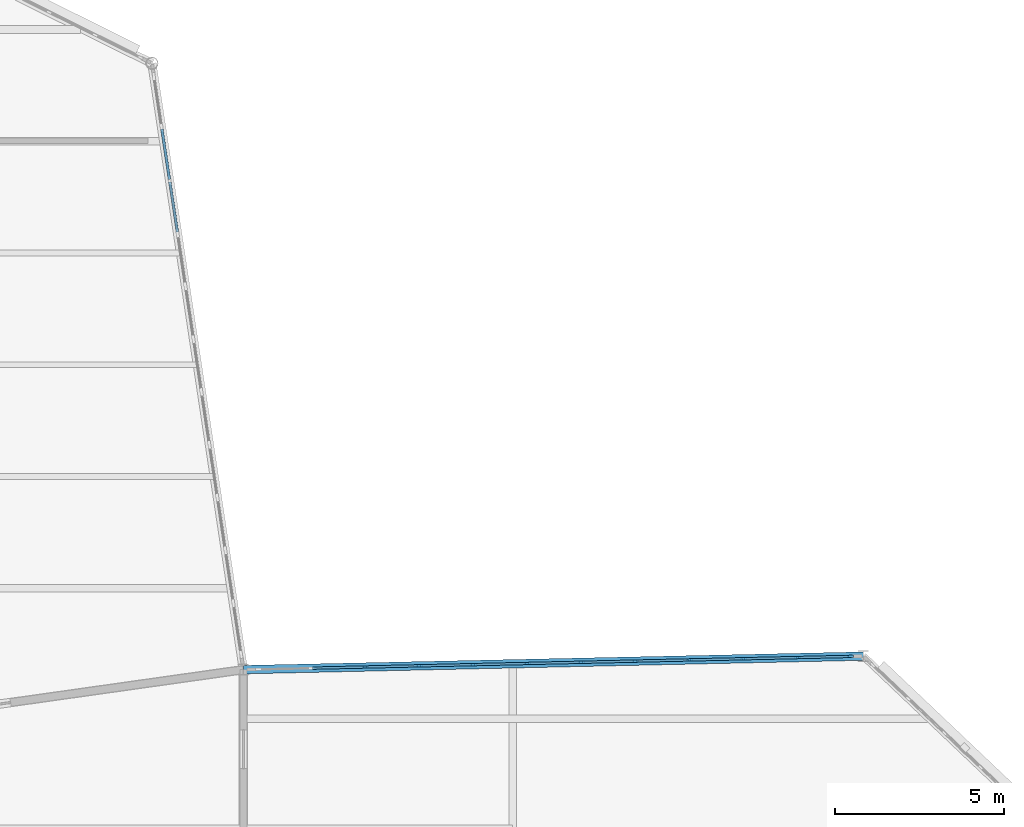
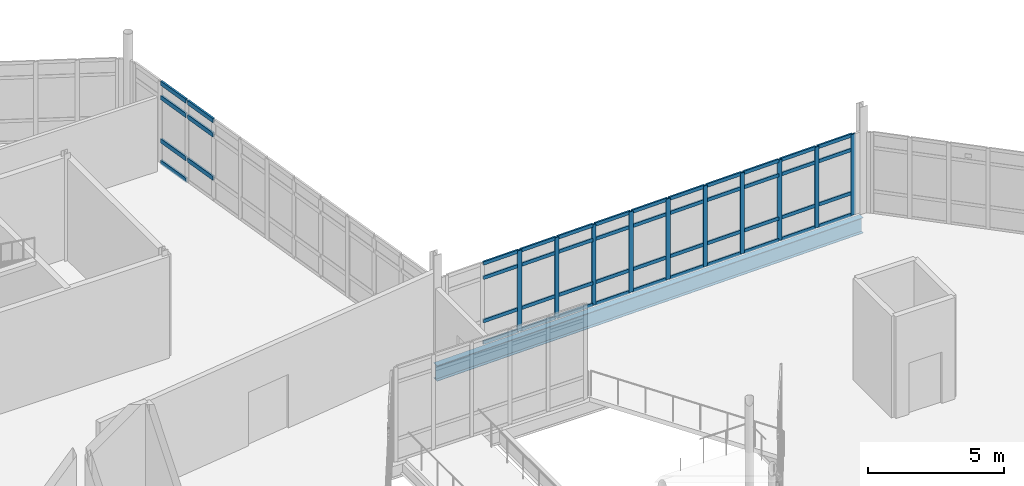
# One storey, part 38 of 114: 57 members, 1 beam, 2 elements without a shape of their own.
"""IFC4 building model written with IfcOpenShell, lengths in metres."""

from ifc_helpers import new_model, si_unit, direction, frame, origin, origin_2d, place, context, subcontext, project, spatial, rectangle, i_section, extrude, material, material_profile, profile_set, type_object, element, aggregate, save


model = new_model("IFC4")

# Units and contexts
model_context = context("Model", 3, precision=1e-05, world=origin(), true_north=direction((0.0, 1.0)))
body_context = subcontext(model_context, "Body", "Model", "MODEL_VIEW")
ifc_project = project(units=[si_unit("LENGTHUNIT", "METRE"), si_unit("AREAUNIT", "SQUARE_METRE"), si_unit("VOLUMEUNIT", "CUBIC_METRE"), si_unit("PLANEANGLEUNIT", "RADIAN"), si_unit("MASSUNIT", "GRAM", prefix="KILO")], contexts=[model_context])

# Site, building, storey
site_placement = place(None, origin())
site = spatial("IfcSite", under=ifc_project, at=site_placement, CompositionType="ELEMENT")
building_placement = place(site_placement, origin())
building = spatial("IfcBuilding", under=site, at=building_placement, Name="Tameran Prism Museum", CompositionType="ELEMENT")
storey_placement = place(building_placement, frame((0.0, 0.0, 10.199951171875)))
storey = spatial("IfcBuildingStorey", under=building, at=storey_placement, Name="L02", CompositionType="ELEMENT", Elevation=10.199951171875)

# Beam
ifc_material_1 = material(Name="Steel Grade 350 (350 MPa)", Category="steel")
ifc_material_profile_1 = material_profile(ifc_material_1, i_section(OverallWidth=0.25, OverallDepth=0.699951171875, WebThickness=0.010009765625, FlangeThickness=0.02001953125, at=origin_2d()))
ifc_profile_set_1 = profile_set([ifc_material_profile_1])
beam_type = type_object("IfcBeamType", Name="BM-SP700", PredefinedType="SPANDREL", material=ifc_profile_set_1)
beam_placement = place(storey_placement, frame((95.800048828125, 48.60009765625, -0.550048828125), z_axis=(-0.999761027559, -0.021860644425, 0.0), x_axis=(0.021860644425, -0.999761027559, 0.0)))
element("IfcBeam", 1, at=beam_placement, inside=storey, type_object=beam_type, Name="Perimeter Spandrel SP-0689", PredefinedType="SPANDREL", context=body_context, shape_type="SweptSolid", body=[
    extrude(i_section(OverallWidth=0.25, OverallDepth=0.699951171875, WebThickness=0.010009765625, FlangeThickness=0.02001953125, at=origin_2d()), origin(), (0.0, 0.0, 1.0), 18.304443359375),
])

# Curtain wall, members
ifc_material_2 = material(Name="Anodised Aluminium 6063-T6 and Cyclone Solar Glass", Category="aluminium")
curtain_wall_type_1 = type_object("IfcCurtainWallType", Name="CW-FAC-1754x362", PredefinedType="USERDEFINED", material=ifc_material_2)
curtain_wall_1_placement = place(storey_placement, origin())
curtain_wall_1 = element("IfcCurtainWall", 2, at=curtain_wall_1_placement, inside=storey, type_object=curtain_wall_type_1, Name="Unitised Curtain Wall CW-112", ObjectType="UNITISED CURTAIN WALL", PredefinedType="USERDEFINED")
ifc_material_3 = material(Name="Anodised Aluminium Alloy 6063-T6", Category="aluminium")
ifc_material_profile_2 = material_profile(ifc_material_3, rectangle(XDim=0.070068359375, YDim=0.179931640625, at=origin_2d()))
ifc_profile_set_2 = profile_set([ifc_material_profile_2])
member_type_1 = type_object("IfcMemberType", Name="CW-MUL-B", PredefinedType="MULLION", material=ifc_profile_set_2)
member_1_placement = place(storey_placement, frame((81.09912109375, 48.278564453125, 0.0), z_axis=(0.0, 0.0, 1.0), x_axis=(-0.021830600058, 0.999761684053, 0.0)))
member_1 = element("IfcMember", 3, at=member_1_placement, type_object=member_type_1, Name="CW-112 mullion 3", PredefinedType="MULLION", context=body_context, shape_type="SweptSolid", body=[
    extrude(rectangle(XDim=0.070068359375, YDim=0.179931640625, at=origin_2d()), origin(), (0.0, 0.0, 1.0), 3.6201171875),
])
member_2_placement = place(storey_placement, frame((82.693603515625, 48.3134765625, 0.0), z_axis=(0.0, 0.0, 1.0), x_axis=(-0.021830600058, 0.999761684053, 0.0)))
member_2 = element("IfcMember", 4, at=member_2_placement, type_object=member_type_1, Name="CW-112 mullion 4", PredefinedType="MULLION", context=body_context, shape_type="SweptSolid", body=[
    extrude(rectangle(XDim=0.070068359375, YDim=0.179931640625, at=origin_2d()), origin(), (0.0, 0.0, 1.0), 3.6201171875),
])
member_3_placement = place(storey_placement, frame((84.2880859375, 48.348388671875, 0.0), z_axis=(0.0, 0.0, 1.0), x_axis=(-0.021830600058, 0.999761684053, 0.0)))
member_3 = element("IfcMember", 5, at=member_3_placement, type_object=member_type_1, Name="CW-112 mullion 5", PredefinedType="MULLION", context=body_context, shape_type="SweptSolid", body=[
    extrude(rectangle(XDim=0.070068359375, YDim=0.179931640625, at=origin_2d()), origin(), (0.0, 0.0, 1.0), 3.6201171875),
])
member_4_placement = place(storey_placement, frame((85.8828125, 48.383056640625, 0.0), z_axis=(0.0, 0.0, 1.0), x_axis=(-0.021830600058, 0.999761684053, 0.0)))
member_4 = element("IfcMember", 6, at=member_4_placement, type_object=member_type_1, Name="CW-112 mullion 6", PredefinedType="MULLION", context=body_context, shape_type="SweptSolid", body=[
    extrude(rectangle(XDim=0.070068359375, YDim=0.179931640625, at=origin_2d()), origin(), (0.0, 0.0, 1.0), 3.6201171875),
])
member_5_placement = place(storey_placement, frame((87.477294921875, 48.41796875, 0.0), z_axis=(0.0, 0.0, 1.0), x_axis=(-0.021830600058, 0.999761684053, 0.0)))
member_5 = element("IfcMember", 7, at=member_5_placement, type_object=member_type_1, Name="CW-112 mullion 7", PredefinedType="MULLION", context=body_context, shape_type="SweptSolid", body=[
    extrude(rectangle(XDim=0.070068359375, YDim=0.179931640625, at=origin_2d()), origin(), (0.0, 0.0, 1.0), 3.6201171875),
])
member_6_placement = place(storey_placement, frame((89.07177734375, 48.45263671875, 0.0), z_axis=(0.0, 0.0, 1.0), x_axis=(-0.021830600058, 0.999761684053, 0.0)))
member_6 = element("IfcMember", 8, at=member_6_placement, type_object=member_type_1, Name="CW-112 mullion 8", PredefinedType="MULLION", context=body_context, shape_type="SweptSolid", body=[
    extrude(rectangle(XDim=0.070068359375, YDim=0.179931640625, at=origin_2d()), origin(), (0.0, 0.0, 1.0), 3.6201171875),
])
member_7_placement = place(storey_placement, frame((90.666259765625, 48.487548828125, 0.0), z_axis=(0.0, 0.0, 1.0), x_axis=(-0.021830600058, 0.999761684053, 0.0)))
member_7 = element("IfcMember", 9, at=member_7_placement, type_object=member_type_1, Name="CW-112 mullion 9", PredefinedType="MULLION", context=body_context, shape_type="SweptSolid", body=[
    extrude(rectangle(XDim=0.070068359375, YDim=0.179931640625, at=origin_2d()), origin(), (0.0, 0.0, 1.0), 3.6201171875),
])
member_8_placement = place(storey_placement, frame((92.260986328125, 48.5224609375, 0.0), z_axis=(0.0, 0.0, 1.0), x_axis=(-0.021830600058, 0.999761684053, 0.0)))
member_8 = element("IfcMember", 10, at=member_8_placement, type_object=member_type_1, Name="CW-112 mullion 10", PredefinedType="MULLION", context=body_context, shape_type="SweptSolid", body=[
    extrude(rectangle(XDim=0.070068359375, YDim=0.179931640625, at=origin_2d()), origin(), (0.0, 0.0, 1.0), 3.6201171875),
])
member_9_placement = place(storey_placement, frame((93.85546875, 48.55712890625, 0.0), z_axis=(0.0, 0.0, 1.0), x_axis=(-0.021830600058, 0.999761684053, 0.0)))
member_9 = element("IfcMember", 11, at=member_9_placement, type_object=member_type_1, Name="CW-112 mullion 11", PredefinedType="MULLION", context=body_context, shape_type="SweptSolid", body=[
    extrude(rectangle(XDim=0.070068359375, YDim=0.179931640625, at=origin_2d()), origin(), (0.0, 0.0, 1.0), 3.6201171875),
])
member_10_placement = place(storey_placement, frame((95.4150390625, 48.59130859375, 0.0), z_axis=(0.0, 0.0, 1.0), x_axis=(-0.021830600058, 0.999761684053, 0.0)))
member_10 = element("IfcMember", 12, at=member_10_placement, type_object=member_type_1, Name="CW-112 mullion 12", PredefinedType="MULLION", context=body_context, shape_type="SweptSolid", body=[
    extrude(rectangle(XDim=0.070068359375, YDim=0.179931640625, at=origin_2d()), origin(), (0.0, 0.0, 1.0), 3.6201171875),
])
ifc_material_4 = material(Name="Anodised Aluminium Alloy 6063-T6", Category="aluminium")
ifc_material_profile_3 = material_profile(ifc_material_4, rectangle(XDim=0.070068359375, YDim=0.155029296875, at=origin_2d()))
ifc_profile_set_3 = profile_set([ifc_material_profile_3])
member_type_2 = type_object("IfcMemberType", Name="CW-TRN-B", PredefinedType="USERDEFINED", material=ifc_profile_set_3)
member_11_placement = place(storey_placement, frame((79.53955078125, 48.24462890625, 0.03515625), z_axis=(0.999762956258, 0.021772259736, 0.0), x_axis=(-0.021772259736, 0.999762956258, 0.0)))
member_11 = element("IfcMember", 13, at=member_11_placement, type_object=member_type_2, Name="CW-112 transom 2.1", ObjectType="TRANSOM", PredefinedType="USERDEFINED", context=body_context, shape_type="SweptSolid", body=[
    extrude(rectangle(XDim=0.070068359375, YDim=0.155029296875, at=origin_2d()), origin(), (0.0, 0.0, 1.0), 1.52490234375),
])
member_12_placement = place(storey_placement, frame((79.53955078125, 48.24462890625, 1.0), z_axis=(0.999762956258, 0.021772259736, 0.0), x_axis=(-0.021772259736, 0.999762956258, 0.0)))
member_12 = element("IfcMember", 14, at=member_12_placement, type_object=member_type_2, Name="CW-112 transom 2.2", ObjectType="TRANSOM", PredefinedType="USERDEFINED", context=body_context, shape_type="SweptSolid", body=[
    extrude(rectangle(XDim=0.070068359375, YDim=0.155029296875, at=origin_2d()), origin(), (0.0, 0.0, 1.0), 1.52490234375),
])
member_13_placement = place(storey_placement, frame((79.53955078125, 48.24462890625, 2.93994140625), z_axis=(0.999762956258, 0.021772259736, 0.0), x_axis=(-0.021772259736, 0.999762956258, 0.0)))
member_13 = element("IfcMember", 15, at=member_13_placement, type_object=member_type_2, Name="CW-112 transom 2.3", ObjectType="TRANSOM", PredefinedType="USERDEFINED", context=body_context, shape_type="SweptSolid", body=[
    extrude(rectangle(XDim=0.070068359375, YDim=0.155029296875, at=origin_2d()), origin(), (0.0, 0.0, 1.0), 1.52490234375),
])
member_14_placement = place(storey_placement, frame((79.53955078125, 48.24462890625, 3.5849609375), z_axis=(0.999762956258, 0.021772259736, 0.0), x_axis=(-0.021772259736, 0.999762956258, 0.0)))
member_14 = element("IfcMember", 16, at=member_14_placement, type_object=member_type_2, Name="CW-112 transom 2.4", ObjectType="TRANSOM", PredefinedType="USERDEFINED", context=body_context, shape_type="SweptSolid", body=[
    extrude(rectangle(XDim=0.070068359375, YDim=0.155029296875, at=origin_2d()), origin(), (0.0, 0.0, 1.0), 1.52490234375),
])
member_15_placement = place(storey_placement, frame((81.134033203125, 48.279296875, 0.03515625), z_axis=(0.999759458767, 0.021932273155, 0.0), x_axis=(-0.021932273155, 0.999759458767, 0.0)))
member_15 = element("IfcMember", 17, at=member_15_placement, type_object=member_type_2, Name="CW-112 transom 3.1", ObjectType="TRANSOM", PredefinedType="USERDEFINED", context=body_context, shape_type="SweptSolid", body=[
    extrude(rectangle(XDim=0.070068359375, YDim=0.155029296875, at=origin_2d()), origin(), (0.0, 0.0, 1.0), 1.525146484375),
])
member_16_placement = place(storey_placement, frame((81.134033203125, 48.279296875, 1.0), z_axis=(0.999759458767, 0.021932273155, 0.0), x_axis=(-0.021932273155, 0.999759458767, 0.0)))
member_16 = element("IfcMember", 18, at=member_16_placement, type_object=member_type_2, Name="CW-112 transom 3.2", ObjectType="TRANSOM", PredefinedType="USERDEFINED", context=body_context, shape_type="SweptSolid", body=[
    extrude(rectangle(XDim=0.070068359375, YDim=0.155029296875, at=origin_2d()), origin(), (0.0, 0.0, 1.0), 1.525146484375),
])
member_17_placement = place(storey_placement, frame((81.134033203125, 48.279296875, 2.93994140625), z_axis=(0.999759458767, 0.021932273155, 0.0), x_axis=(-0.021932273155, 0.999759458767, 0.0)))
member_17 = element("IfcMember", 19, at=member_17_placement, type_object=member_type_2, Name="CW-112 transom 3.3", ObjectType="TRANSOM", PredefinedType="USERDEFINED", context=body_context, shape_type="SweptSolid", body=[
    extrude(rectangle(XDim=0.070068359375, YDim=0.155029296875, at=origin_2d()), origin(), (0.0, 0.0, 1.0), 1.525146484375),
])
member_18_placement = place(storey_placement, frame((81.134033203125, 48.279296875, 3.5849609375), z_axis=(0.999759458767, 0.021932273155, 0.0), x_axis=(-0.021932273155, 0.999759458767, 0.0)))
member_18 = element("IfcMember", 20, at=member_18_placement, type_object=member_type_2, Name="CW-112 transom 3.4", ObjectType="TRANSOM", PredefinedType="USERDEFINED", context=body_context, shape_type="SweptSolid", body=[
    extrude(rectangle(XDim=0.070068359375, YDim=0.155029296875, at=origin_2d()), origin(), (0.0, 0.0, 1.0), 1.525146484375),
])
member_19_placement = place(storey_placement, frame((82.728515625, 48.314208984375, 0.03515625), z_axis=(0.999762956258, 0.021772259736, 0.0), x_axis=(-0.021772259736, 0.999762956258, 0.0)))
member_19 = element("IfcMember", 21, at=member_19_placement, type_object=member_type_2, Name="CW-112 transom 4.1", ObjectType="TRANSOM", PredefinedType="USERDEFINED", context=body_context, shape_type="SweptSolid", body=[
    extrude(rectangle(XDim=0.070068359375, YDim=0.155029296875, at=origin_2d()), origin(), (0.0, 0.0, 1.0), 1.52490234375),
])
member_20_placement = place(storey_placement, frame((82.728515625, 48.314208984375, 1.0), z_axis=(0.999762956258, 0.021772259736, 0.0), x_axis=(-0.021772259736, 0.999762956258, 0.0)))
member_20 = element("IfcMember", 22, at=member_20_placement, type_object=member_type_2, Name="CW-112 transom 4.2", ObjectType="TRANSOM", PredefinedType="USERDEFINED", context=body_context, shape_type="SweptSolid", body=[
    extrude(rectangle(XDim=0.070068359375, YDim=0.155029296875, at=origin_2d()), origin(), (0.0, 0.0, 1.0), 1.52490234375),
])
member_21_placement = place(storey_placement, frame((82.728515625, 48.314208984375, 2.93994140625), z_axis=(0.999762956258, 0.021772259736, 0.0), x_axis=(-0.021772259736, 0.999762956258, 0.0)))
member_21 = element("IfcMember", 23, at=member_21_placement, type_object=member_type_2, Name="CW-112 transom 4.3", ObjectType="TRANSOM", PredefinedType="USERDEFINED", context=body_context, shape_type="SweptSolid", body=[
    extrude(rectangle(XDim=0.070068359375, YDim=0.155029296875, at=origin_2d()), origin(), (0.0, 0.0, 1.0), 1.52490234375),
])
member_22_placement = place(storey_placement, frame((82.728515625, 48.314208984375, 3.5849609375), z_axis=(0.999762956258, 0.021772259736, 0.0), x_axis=(-0.021772259736, 0.999762956258, 0.0)))
member_22 = element("IfcMember", 24, at=member_22_placement, type_object=member_type_2, Name="CW-112 transom 4.4", ObjectType="TRANSOM", PredefinedType="USERDEFINED", context=body_context, shape_type="SweptSolid", body=[
    extrude(rectangle(XDim=0.070068359375, YDim=0.155029296875, at=origin_2d()), origin(), (0.0, 0.0, 1.0), 1.52490234375),
])
member_23_placement = place(storey_placement, frame((84.3232421875, 48.34912109375, 0.03515625), z_axis=(0.999762880352, 0.021775744992, 0.0), x_axis=(-0.021775744992, 0.999762880352, 0.0)))
member_23 = element("IfcMember", 25, at=member_23_placement, type_object=member_type_2, Name="CW-112 transom 5.1", ObjectType="TRANSOM", PredefinedType="USERDEFINED", context=body_context, shape_type="SweptSolid", body=[
    extrude(rectangle(XDim=0.070068359375, YDim=0.155029296875, at=origin_2d()), origin(), (0.0, 0.0, 1.0), 1.524658203125),
])
member_24_placement = place(storey_placement, frame((84.3232421875, 48.34912109375, 1.0), z_axis=(0.999762880352, 0.021775744992, 0.0), x_axis=(-0.021775744992, 0.999762880352, 0.0)))
member_24 = element("IfcMember", 26, at=member_24_placement, type_object=member_type_2, Name="CW-112 transom 5.2", ObjectType="TRANSOM", PredefinedType="USERDEFINED", context=body_context, shape_type="SweptSolid", body=[
    extrude(rectangle(XDim=0.070068359375, YDim=0.155029296875, at=origin_2d()), origin(), (0.0, 0.0, 1.0), 1.524658203125),
])
member_25_placement = place(storey_placement, frame((84.3232421875, 48.34912109375, 2.93994140625), z_axis=(0.999762880352, 0.021775744992, 0.0), x_axis=(-0.021775744992, 0.999762880352, 0.0)))
member_25 = element("IfcMember", 27, at=member_25_placement, type_object=member_type_2, Name="CW-112 transom 5.3", ObjectType="TRANSOM", PredefinedType="USERDEFINED", context=body_context, shape_type="SweptSolid", body=[
    extrude(rectangle(XDim=0.070068359375, YDim=0.155029296875, at=origin_2d()), origin(), (0.0, 0.0, 1.0), 1.524658203125),
])
member_26_placement = place(storey_placement, frame((84.3232421875, 48.34912109375, 3.5849609375), z_axis=(0.999762880352, 0.021775744992, 0.0), x_axis=(-0.021775744992, 0.999762880352, 0.0)))
member_26 = element("IfcMember", 28, at=member_26_placement, type_object=member_type_2, Name="CW-112 transom 5.4", ObjectType="TRANSOM", PredefinedType="USERDEFINED", context=body_context, shape_type="SweptSolid", body=[
    extrude(rectangle(XDim=0.070068359375, YDim=0.155029296875, at=origin_2d()), origin(), (0.0, 0.0, 1.0), 1.524658203125),
])
member_27_placement = place(storey_placement, frame((85.917724609375, 48.3837890625, 0.03515625), z_axis=(0.999759458767, 0.021932273155, 0.0), x_axis=(-0.021932273155, 0.999759458767, 0.0)))
member_27 = element("IfcMember", 29, at=member_27_placement, type_object=member_type_2, Name="CW-112 transom 6.1", ObjectType="TRANSOM", PredefinedType="USERDEFINED", context=body_context, shape_type="SweptSolid", body=[
    extrude(rectangle(XDim=0.070068359375, YDim=0.155029296875, at=origin_2d()), origin(), (0.0, 0.0, 1.0), 1.525146484375),
])
member_28_placement = place(storey_placement, frame((85.917724609375, 48.3837890625, 1.0), z_axis=(0.999759458767, 0.021932273155, 0.0), x_axis=(-0.021932273155, 0.999759458767, 0.0)))
member_28 = element("IfcMember", 30, at=member_28_placement, type_object=member_type_2, Name="CW-112 transom 6.2", ObjectType="TRANSOM", PredefinedType="USERDEFINED", context=body_context, shape_type="SweptSolid", body=[
    extrude(rectangle(XDim=0.070068359375, YDim=0.155029296875, at=origin_2d()), origin(), (0.0, 0.0, 1.0), 1.525146484375),
])
member_29_placement = place(storey_placement, frame((85.917724609375, 48.3837890625, 2.93994140625), z_axis=(0.999759458767, 0.021932273155, 0.0), x_axis=(-0.021932273155, 0.999759458767, 0.0)))
member_29 = element("IfcMember", 31, at=member_29_placement, type_object=member_type_2, Name="CW-112 transom 6.3", ObjectType="TRANSOM", PredefinedType="USERDEFINED", context=body_context, shape_type="SweptSolid", body=[
    extrude(rectangle(XDim=0.070068359375, YDim=0.155029296875, at=origin_2d()), origin(), (0.0, 0.0, 1.0), 1.525146484375),
])
member_30_placement = place(storey_placement, frame((85.917724609375, 48.3837890625, 3.5849609375), z_axis=(0.999759458767, 0.021932273155, 0.0), x_axis=(-0.021932273155, 0.999759458767, 0.0)))
member_30 = element("IfcMember", 32, at=member_30_placement, type_object=member_type_2, Name="CW-112 transom 6.4", ObjectType="TRANSOM", PredefinedType="USERDEFINED", context=body_context, shape_type="SweptSolid", body=[
    extrude(rectangle(XDim=0.070068359375, YDim=0.155029296875, at=origin_2d()), origin(), (0.0, 0.0, 1.0), 1.525146484375),
])
member_31_placement = place(storey_placement, frame((87.51220703125, 48.418701171875, 0.03515625), z_axis=(0.999762956258, 0.021772259736, 0.0), x_axis=(-0.021772259736, 0.999762956258, 0.0)))
member_31 = element("IfcMember", 33, at=member_31_placement, type_object=member_type_2, Name="CW-112 transom 7.1", ObjectType="TRANSOM", PredefinedType="USERDEFINED", context=body_context, shape_type="SweptSolid", body=[
    extrude(rectangle(XDim=0.070068359375, YDim=0.155029296875, at=origin_2d()), origin(), (0.0, 0.0, 1.0), 1.52490234375),
])
member_32_placement = place(storey_placement, frame((87.51220703125, 48.418701171875, 1.0), z_axis=(0.999762956258, 0.021772259736, 0.0), x_axis=(-0.021772259736, 0.999762956258, 0.0)))
member_32 = element("IfcMember", 34, at=member_32_placement, type_object=member_type_2, Name="CW-112 transom 7.2", ObjectType="TRANSOM", PredefinedType="USERDEFINED", context=body_context, shape_type="SweptSolid", body=[
    extrude(rectangle(XDim=0.070068359375, YDim=0.155029296875, at=origin_2d()), origin(), (0.0, 0.0, 1.0), 1.52490234375),
])
member_33_placement = place(storey_placement, frame((87.51220703125, 48.418701171875, 2.93994140625), z_axis=(0.999762956258, 0.021772259736, 0.0), x_axis=(-0.021772259736, 0.999762956258, 0.0)))
member_33 = element("IfcMember", 35, at=member_33_placement, type_object=member_type_2, Name="CW-112 transom 7.3", ObjectType="TRANSOM", PredefinedType="USERDEFINED", context=body_context, shape_type="SweptSolid", body=[
    extrude(rectangle(XDim=0.070068359375, YDim=0.155029296875, at=origin_2d()), origin(), (0.0, 0.0, 1.0), 1.52490234375),
])
member_34_placement = place(storey_placement, frame((87.51220703125, 48.418701171875, 3.5849609375), z_axis=(0.999762956258, 0.021772259736, 0.0), x_axis=(-0.021772259736, 0.999762956258, 0.0)))
member_34 = element("IfcMember", 36, at=member_34_placement, type_object=member_type_2, Name="CW-112 transom 7.4", ObjectType="TRANSOM", PredefinedType="USERDEFINED", context=body_context, shape_type="SweptSolid", body=[
    extrude(rectangle(XDim=0.070068359375, YDim=0.155029296875, at=origin_2d()), origin(), (0.0, 0.0, 1.0), 1.52490234375),
])
member_35_placement = place(storey_placement, frame((89.106689453125, 48.45361328125, 0.03515625), z_axis=(0.999762956258, 0.021772259736, 0.0), x_axis=(-0.021772259736, 0.999762956258, 0.0)))
member_35 = element("IfcMember", 37, at=member_35_placement, type_object=member_type_2, Name="CW-112 transom 8.1", ObjectType="TRANSOM", PredefinedType="USERDEFINED", context=body_context, shape_type="SweptSolid", body=[
    extrude(rectangle(XDim=0.070068359375, YDim=0.155029296875, at=origin_2d()), origin(), (0.0, 0.0, 1.0), 1.52490234375),
])
member_36_placement = place(storey_placement, frame((89.106689453125, 48.45361328125, 1.0), z_axis=(0.999762956258, 0.021772259736, 0.0), x_axis=(-0.021772259736, 0.999762956258, 0.0)))
member_36 = element("IfcMember", 38, at=member_36_placement, type_object=member_type_2, Name="CW-112 transom 8.2", ObjectType="TRANSOM", PredefinedType="USERDEFINED", context=body_context, shape_type="SweptSolid", body=[
    extrude(rectangle(XDim=0.070068359375, YDim=0.155029296875, at=origin_2d()), origin(), (0.0, 0.0, 1.0), 1.52490234375),
])
member_37_placement = place(storey_placement, frame((89.106689453125, 48.45361328125, 2.93994140625), z_axis=(0.999762956258, 0.021772259736, 0.0), x_axis=(-0.021772259736, 0.999762956258, 0.0)))
member_37 = element("IfcMember", 39, at=member_37_placement, type_object=member_type_2, Name="CW-112 transom 8.3", ObjectType="TRANSOM", PredefinedType="USERDEFINED", context=body_context, shape_type="SweptSolid", body=[
    extrude(rectangle(XDim=0.070068359375, YDim=0.155029296875, at=origin_2d()), origin(), (0.0, 0.0, 1.0), 1.52490234375),
])
member_38_placement = place(storey_placement, frame((89.106689453125, 48.45361328125, 3.5849609375), z_axis=(0.999762956258, 0.021772259736, 0.0), x_axis=(-0.021772259736, 0.999762956258, 0.0)))
member_38 = element("IfcMember", 40, at=member_38_placement, type_object=member_type_2, Name="CW-112 transom 8.4", ObjectType="TRANSOM", PredefinedType="USERDEFINED", context=body_context, shape_type="SweptSolid", body=[
    extrude(rectangle(XDim=0.070068359375, YDim=0.155029296875, at=origin_2d()), origin(), (0.0, 0.0, 1.0), 1.52490234375),
])
member_39_placement = place(storey_placement, frame((90.701416015625, 48.48828125, 0.03515625), z_axis=(0.999762880352, 0.021775744992, 0.0), x_axis=(-0.021775744992, 0.999762880352, 0.0)))
member_39 = element("IfcMember", 41, at=member_39_placement, type_object=member_type_2, Name="CW-112 transom 9.1", ObjectType="TRANSOM", PredefinedType="USERDEFINED", context=body_context, shape_type="SweptSolid", body=[
    extrude(rectangle(XDim=0.070068359375, YDim=0.155029296875, at=origin_2d()), origin(), (0.0, 0.0, 1.0), 1.524658203125),
])
member_40_placement = place(storey_placement, frame((90.701416015625, 48.48828125, 1.0), z_axis=(0.999762880352, 0.021775744992, 0.0), x_axis=(-0.021775744992, 0.999762880352, 0.0)))
member_40 = element("IfcMember", 42, at=member_40_placement, type_object=member_type_2, Name="CW-112 transom 9.2", ObjectType="TRANSOM", PredefinedType="USERDEFINED", context=body_context, shape_type="SweptSolid", body=[
    extrude(rectangle(XDim=0.070068359375, YDim=0.155029296875, at=origin_2d()), origin(), (0.0, 0.0, 1.0), 1.524658203125),
])
member_41_placement = place(storey_placement, frame((90.701416015625, 48.48828125, 2.93994140625), z_axis=(0.999762880352, 0.021775744992, 0.0), x_axis=(-0.021775744992, 0.999762880352, 0.0)))
member_41 = element("IfcMember", 43, at=member_41_placement, type_object=member_type_2, Name="CW-112 transom 9.3", ObjectType="TRANSOM", PredefinedType="USERDEFINED", context=body_context, shape_type="SweptSolid", body=[
    extrude(rectangle(XDim=0.070068359375, YDim=0.155029296875, at=origin_2d()), origin(), (0.0, 0.0, 1.0), 1.524658203125),
])
member_42_placement = place(storey_placement, frame((90.701416015625, 48.48828125, 3.5849609375), z_axis=(0.999762880352, 0.021775744992, 0.0), x_axis=(-0.021775744992, 0.999762880352, 0.0)))
member_42 = element("IfcMember", 44, at=member_42_placement, type_object=member_type_2, Name="CW-112 transom 9.4", ObjectType="TRANSOM", PredefinedType="USERDEFINED", context=body_context, shape_type="SweptSolid", body=[
    extrude(rectangle(XDim=0.070068359375, YDim=0.155029296875, at=origin_2d()), origin(), (0.0, 0.0, 1.0), 1.524658203125),
])
member_43_placement = place(storey_placement, frame((92.2958984375, 48.523193359375, 0.03515625), z_axis=(0.999762956258, 0.021772259736, 0.0), x_axis=(-0.021772259736, 0.999762956258, 0.0)))
member_43 = element("IfcMember", 45, at=member_43_placement, type_object=member_type_2, Name="CW-112 transom 10.1", ObjectType="TRANSOM", PredefinedType="USERDEFINED", context=body_context, shape_type="SweptSolid", body=[
    extrude(rectangle(XDim=0.070068359375, YDim=0.155029296875, at=origin_2d()), origin(), (0.0, 0.0, 1.0), 1.52490234375),
])
member_44_placement = place(storey_placement, frame((92.2958984375, 48.523193359375, 1.0), z_axis=(0.999762956258, 0.021772259736, 0.0), x_axis=(-0.021772259736, 0.999762956258, 0.0)))
member_44 = element("IfcMember", 46, at=member_44_placement, type_object=member_type_2, Name="CW-112 transom 10.2", ObjectType="TRANSOM", PredefinedType="USERDEFINED", context=body_context, shape_type="SweptSolid", body=[
    extrude(rectangle(XDim=0.070068359375, YDim=0.155029296875, at=origin_2d()), origin(), (0.0, 0.0, 1.0), 1.52490234375),
])
member_45_placement = place(storey_placement, frame((92.2958984375, 48.523193359375, 2.93994140625), z_axis=(0.999762956258, 0.021772259736, 0.0), x_axis=(-0.021772259736, 0.999762956258, 0.0)))
member_45 = element("IfcMember", 47, at=member_45_placement, type_object=member_type_2, Name="CW-112 transom 10.3", ObjectType="TRANSOM", PredefinedType="USERDEFINED", context=body_context, shape_type="SweptSolid", body=[
    extrude(rectangle(XDim=0.070068359375, YDim=0.155029296875, at=origin_2d()), origin(), (0.0, 0.0, 1.0), 1.52490234375),
])
member_46_placement = place(storey_placement, frame((92.2958984375, 48.523193359375, 3.5849609375), z_axis=(0.999762956258, 0.021772259736, 0.0), x_axis=(-0.021772259736, 0.999762956258, 0.0)))
member_46 = element("IfcMember", 48, at=member_46_placement, type_object=member_type_2, Name="CW-112 transom 10.4", ObjectType="TRANSOM", PredefinedType="USERDEFINED", context=body_context, shape_type="SweptSolid", body=[
    extrude(rectangle(XDim=0.070068359375, YDim=0.155029296875, at=origin_2d()), origin(), (0.0, 0.0, 1.0), 1.52490234375),
])
member_47_placement = place(storey_placement, frame((93.890380859375, 48.557861328125, 0.03515625), z_axis=(0.999758966086, 0.021954720003, 0.0), x_axis=(-0.021954720003, 0.999758966086, 0.0)))
member_47 = element("IfcMember", 49, at=member_47_placement, type_object=member_type_2, Name="CW-112 transom 11.1", ObjectType="TRANSOM", PredefinedType="USERDEFINED", context=body_context, shape_type="SweptSolid", body=[
    extrude(rectangle(XDim=0.070068359375, YDim=0.155029296875, at=origin_2d()), origin(), (0.0, 0.0, 1.0), 1.489990234375),
])
member_48_placement = place(storey_placement, frame((93.890380859375, 48.557861328125, 1.0), z_axis=(0.999758966086, 0.021954720003, 0.0), x_axis=(-0.021954720003, 0.999758966086, 0.0)))
member_48 = element("IfcMember", 50, at=member_48_placement, type_object=member_type_2, Name="CW-112 transom 11.2", ObjectType="TRANSOM", PredefinedType="USERDEFINED", context=body_context, shape_type="SweptSolid", body=[
    extrude(rectangle(XDim=0.070068359375, YDim=0.155029296875, at=origin_2d()), origin(), (0.0, 0.0, 1.0), 1.489990234375),
])
member_49_placement = place(storey_placement, frame((93.890380859375, 48.557861328125, 2.93994140625), z_axis=(0.999758966086, 0.021954720003, 0.0), x_axis=(-0.021954720003, 0.999758966086, 0.0)))
member_49 = element("IfcMember", 51, at=member_49_placement, type_object=member_type_2, Name="CW-112 transom 11.3", ObjectType="TRANSOM", PredefinedType="USERDEFINED", context=body_context, shape_type="SweptSolid", body=[
    extrude(rectangle(XDim=0.070068359375, YDim=0.155029296875, at=origin_2d()), origin(), (0.0, 0.0, 1.0), 1.489990234375),
])
member_50_placement = place(storey_placement, frame((93.890380859375, 48.557861328125, 3.5849609375), z_axis=(0.999758966086, 0.021954720003, 0.0), x_axis=(-0.021954720003, 0.999758966086, 0.0)))
member_50 = element("IfcMember", 52, at=member_50_placement, type_object=member_type_2, Name="CW-112 transom 11.4", ObjectType="TRANSOM", PredefinedType="USERDEFINED", context=body_context, shape_type="SweptSolid", body=[
    extrude(rectangle(XDim=0.070068359375, YDim=0.155029296875, at=origin_2d()), origin(), (0.0, 0.0, 1.0), 1.489990234375),
])
aggregate(curtain_wall_1, [member_1, member_2, member_3, member_4, member_5, member_6, member_7, member_8, member_9, member_10, member_11, member_12, member_13, member_14, member_15, member_16, member_17, member_18, member_19, member_20, member_21, member_22, member_23, member_24, member_25, member_26, member_27, member_28, member_29, member_30, member_31, member_32, member_33, member_34, member_35, member_36, member_37, member_38, member_39, member_40, member_41, member_42, member_43, member_44, member_45, member_46, member_47, member_48, member_49, member_50])

ifc_material_5 = material(Name="Anodised Aluminium 6063-T6 and Cyclone Solar Glass", Category="aluminium")
curtain_wall_type_2 = type_object("IfcCurtainWallType", Name="CW-FAC-1734x362", PredefinedType="USERDEFINED", material=ifc_material_5)
curtain_wall_2_placement = place(storey_placement, origin())
curtain_wall_2 = element("IfcCurtainWall", 53, at=curtain_wall_2_placement, inside=storey, type_object=curtain_wall_type_2, Name="Unitised Curtain Wall CW-114", ObjectType="UNITISED CURTAIN WALL", PredefinedType="USERDEFINED")
ifc_material_6 = material(Name="Anodised Aluminium Alloy 6063-T6", Category="aluminium")
ifc_material_profile_4 = material_profile(ifc_material_6, rectangle(XDim=0.080078125, YDim=0.195068359375, at=origin_2d()))
ifc_profile_set_4 = profile_set([ifc_material_profile_4])
member_type_3 = type_object("IfcMemberType", Name="CW-TRN-D", PredefinedType="USERDEFINED", material=ifc_profile_set_4)
member_51_placement = place(storey_placement, frame((75.09326171875, 64.155517578125, 0.0400390625), z_axis=(0.149090196477, -0.988823600707, 0.0), x_axis=(0.988823600707, 0.149090196477, 0.0)))
member_51 = element("IfcMember", 54, at=member_51_placement, type_object=member_type_3, Name="CW-114 transom 2.1", ObjectType="TRANSOM", PredefinedType="USERDEFINED", context=body_context, shape_type="SweptSolid", body=[
    extrude(rectangle(XDim=0.080078125, YDim=0.195068359375, at=origin_2d()), origin(), (0.0, 0.0, 1.0), 1.496826171875),
])
member_52_placement = place(storey_placement, frame((75.09326171875, 64.155517578125, 1.0), z_axis=(0.149090196477, -0.988823600707, 0.0), x_axis=(0.988823600707, 0.149090196477, 0.0)))
member_52 = element("IfcMember", 55, at=member_52_placement, type_object=member_type_3, Name="CW-114 transom 2.2", ObjectType="TRANSOM", PredefinedType="USERDEFINED", context=body_context, shape_type="SweptSolid", body=[
    extrude(rectangle(XDim=0.080078125, YDim=0.195068359375, at=origin_2d()), origin(), (0.0, 0.0, 1.0), 1.496826171875),
])
member_53_placement = place(storey_placement, frame((75.09326171875, 64.155517578125, 2.93994140625), z_axis=(0.149090196477, -0.988823600707, 0.0), x_axis=(0.988823600707, 0.149090196477, 0.0)))
member_53 = element("IfcMember", 56, at=member_53_placement, type_object=member_type_3, Name="CW-114 transom 2.3", ObjectType="TRANSOM", PredefinedType="USERDEFINED", context=body_context, shape_type="SweptSolid", body=[
    extrude(rectangle(XDim=0.080078125, YDim=0.195068359375, at=origin_2d()), origin(), (0.0, 0.0, 1.0), 1.496826171875),
])
member_54_placement = place(storey_placement, frame((75.09326171875, 64.155517578125, 3.580078125), z_axis=(0.149090196477, -0.988823600707, 0.0), x_axis=(0.988823600707, 0.149090196477, 0.0)))
member_54 = element("IfcMember", 57, at=member_54_placement, type_object=member_type_3, Name="CW-114 transom 2.4", ObjectType="TRANSOM", PredefinedType="USERDEFINED", context=body_context, shape_type="SweptSolid", body=[
    extrude(rectangle(XDim=0.080078125, YDim=0.195068359375, at=origin_2d()), origin(), (0.0, 0.0, 1.0), 1.496826171875),
])
member_55_placement = place(storey_placement, frame((75.328369140625, 62.596435546875, 1.0), z_axis=(0.149090196477, -0.988823600707, 0.0), x_axis=(0.988823600707, 0.149090196477, 0.0)))
member_55 = element("IfcMember", 58, at=member_55_placement, type_object=member_type_3, Name="CW-114 transom 3.2", ObjectType="TRANSOM", PredefinedType="USERDEFINED", context=body_context, shape_type="SweptSolid", body=[
    extrude(rectangle(XDim=0.080078125, YDim=0.195068359375, at=origin_2d()), origin(), (0.0, 0.0, 1.0), 1.496826171875),
])
member_56_placement = place(storey_placement, frame((75.328369140625, 62.596435546875, 2.93994140625), z_axis=(0.149090196477, -0.988823600707, 0.0), x_axis=(0.988823600707, 0.149090196477, 0.0)))
member_56 = element("IfcMember", 59, at=member_56_placement, type_object=member_type_3, Name="CW-114 transom 3.3", ObjectType="TRANSOM", PredefinedType="USERDEFINED", context=body_context, shape_type="SweptSolid", body=[
    extrude(rectangle(XDim=0.080078125, YDim=0.195068359375, at=origin_2d()), origin(), (0.0, 0.0, 1.0), 1.496826171875),
])
member_57_placement = place(storey_placement, frame((75.328369140625, 62.596435546875, 3.580078125), z_axis=(0.149090196477, -0.988823600707, 0.0), x_axis=(0.988823600707, 0.149090196477, 0.0)))
member_57 = element("IfcMember", 60, at=member_57_placement, type_object=member_type_3, Name="CW-114 transom 3.4", ObjectType="TRANSOM", PredefinedType="USERDEFINED", context=body_context, shape_type="SweptSolid", body=[
    extrude(rectangle(XDim=0.080078125, YDim=0.195068359375, at=origin_2d()), origin(), (0.0, 0.0, 1.0), 1.496826171875),
])
aggregate(curtain_wall_2, [member_51, member_52, member_53, member_54, member_55, member_56, member_57])

save(model, "model.ifc")
